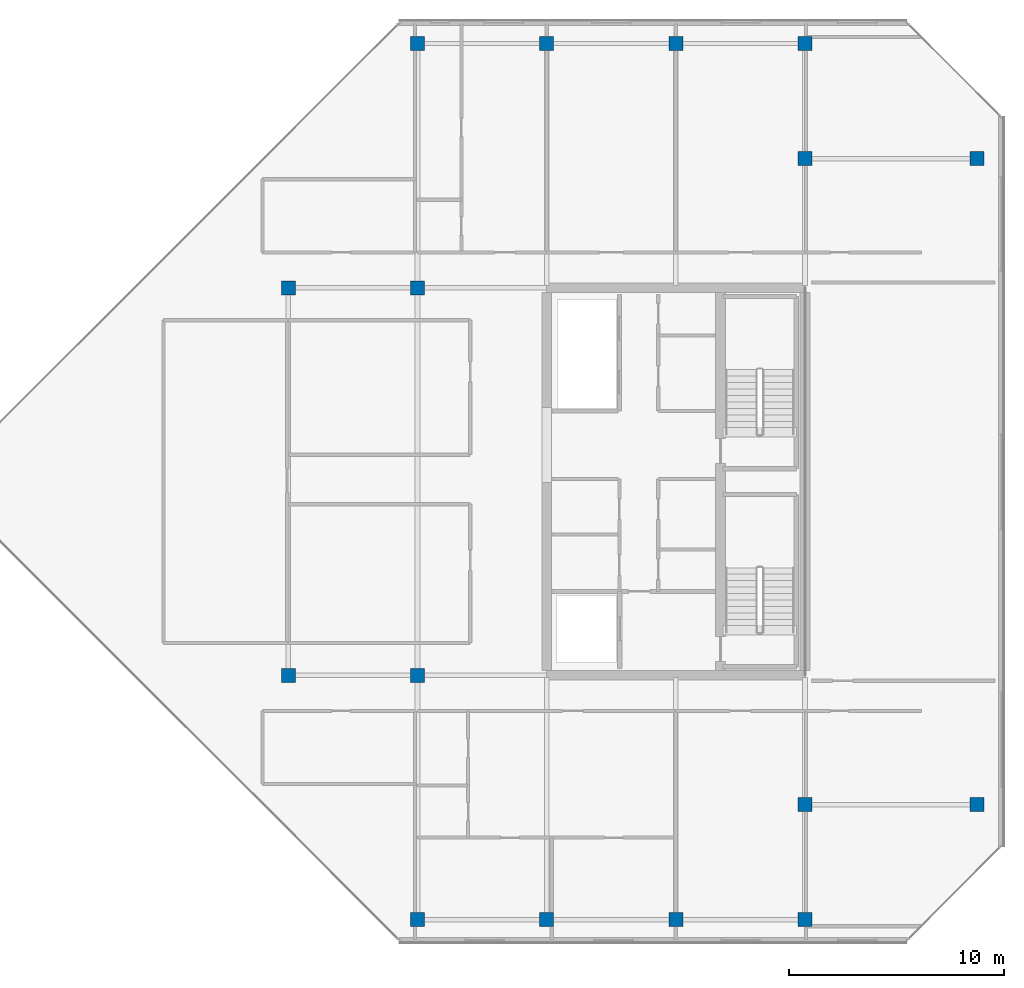
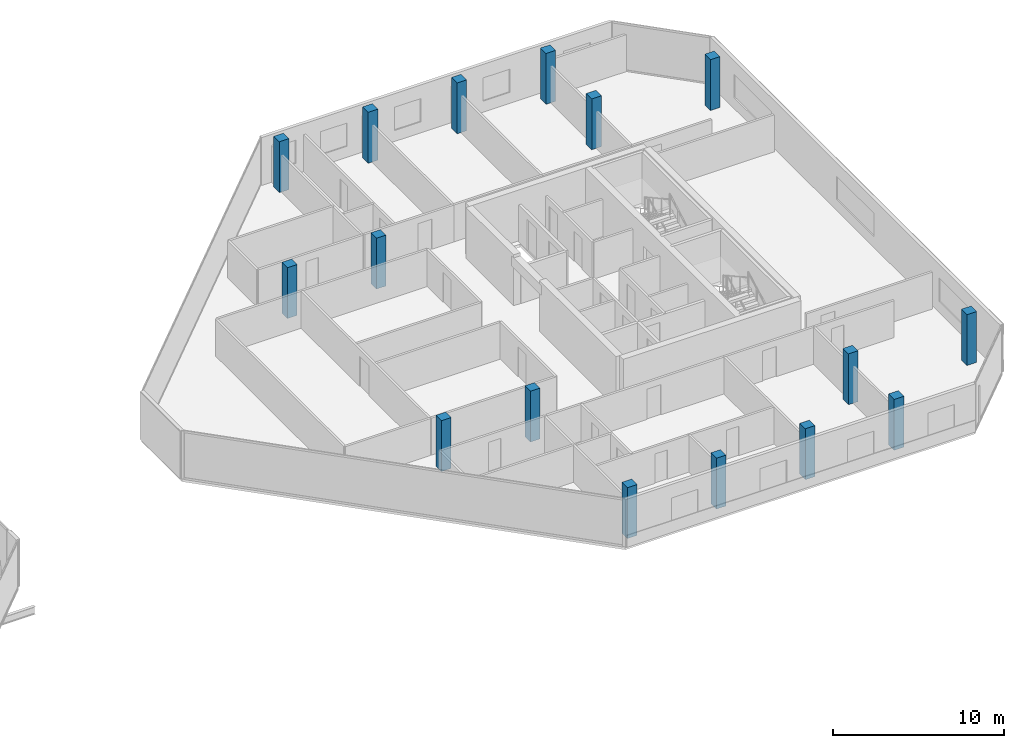
# One storey, part 1 of 28: 16 columns.
"""IFC4 building model written with IfcOpenShell, lengths in metres."""

from ifc_helpers import new_model, si_unit, direction, frame, origin, origin_2d, place, context, subcontext, project, spatial, rectangle, extrude, material, material_profile, profile_set, type_object, element, save


model = new_model("IFC4")

# Units and contexts
model_context = context("Model", 3, precision=1e-05, world=origin(), true_north=direction((0.0, 1.0)))
body_context = subcontext(model_context, "Body", "Model", "MODEL_VIEW")
ifc_project = project(units=[si_unit("LENGTHUNIT", "METRE"), si_unit("AREAUNIT", "SQUARE_METRE"), si_unit("VOLUMEUNIT", "CUBIC_METRE"), si_unit("PLANEANGLEUNIT", "RADIAN"), si_unit("MASSUNIT", "GRAM", prefix="KILO")], contexts=[model_context])

# Site, building, storey
site_placement = place(None, origin())
site = spatial("IfcSite", under=ifc_project, at=site_placement, CompositionType="ELEMENT")
building_placement = place(site_placement, origin())
building = spatial("IfcBuilding", under=site, at=building_placement, Name="Tanjung Sevakor Pilgrim Tower", CompositionType="ELEMENT")
storey_placement = place(building_placement, frame((0.0, 0.0, 249.81005859375)))
storey = spatial("IfcBuildingStorey", under=building, at=storey_placement, Name="L70", CompositionType="ELEMENT", Elevation=249.81005859375)

# Columns
ifc_material = material(Name="Concrete C60/75", Category="concrete")
ifc_material_profile = material_profile(ifc_material, rectangle(XDim=0.64990234375, YDim=0.64990234375, at=origin_2d()))
ifc_profile_set = profile_set([ifc_material_profile], Name="Concrete C60/75")
column_type = type_object("IfcColumnType", Name="COL-C-T650-RC_650x650", PredefinedType="COLUMN", material=ifc_profile_set)
for number, where, z_axis, x_axis, name in (
    (1, (66.0, 24.60009765625, 0.0), (0.0, 0.0, 1.0), (1.0, 0.0, 0.0), "L70 Column SPE-066-246"),
    (2, (66.0, 42.60009765625, 0.0), (0.0, 0.0, 1.0), (1.0, 0.0, 0.0), "L70 Column SPE-066-426"),
    (3, (72.0, 24.60009765625, 0.0), (0.0, 0.0, 1.0), (1.0, 0.0, 0.0), "L70 Column SPE-072-246"),
    (4, (72.0, 42.60009765625, 0.0), (0.0, 0.0, 1.0), (1.0, 0.0, 0.0), "L70 Column SPE-072-426"),
    (5, (90.0, 18.60009765625, 0.0), (0.0, 0.0, 1.0), (1.0, 0.0, 0.0), "L70 Column TCE-0900-186"),
    (6, (90.0, 48.60009765625, 0.0), (0.0, 0.0, 1.0), (1.0, 0.0, 0.0), "L70 Column TCE-0900-486"),
    (7, (98.0, 18.60009765625, 0.0), (0.0, 0.0, 1.0), (1.0, 0.0, 0.0), "L70 Column TCE-0980-186"),
    (8, (98.0, 48.60009765625, 0.0), (0.0, 0.0, 1.0), (1.0, 0.0, 0.0), "L70 Column TCE-0980-486"),
    (9, (72.0, 13.25, 0.0), (0.0, 0.0, 1.0), (1.0, 0.0, 0.0), "L70 Column TC4-072-132"),
    (10, (72.0, 53.949951171875, 0.0), (0.0, 0.0, 1.0), (1.0, 0.0, 0.0), "L70 Column TC4-072-540"),
    (11, (78.0, 13.25, 0.0), (0.0, 0.0, 1.0), (1.0, 0.0, 0.0), "L70 Column TC4-078-132"),
    (12, (78.0, 53.949951171875, 0.0), (0.0, 0.0, 1.0), (1.0, 0.0, 0.0), "L70 Column TC4-078-540"),
    (13, (84.0, 13.25, 0.0), (0.0, 0.0, 1.0), (1.0, 0.0, 0.0), "L70 Column TC4-084-132"),
    (14, (84.0, 53.949951171875, 0.0), (0.0, 0.0, 1.0), (1.0, 0.0, 0.0), "L70 Column TC4-084-540"),
    (15, (90.0, 13.25, 0.0), (0.0, 0.0, 1.0), (1.0, 0.0, 0.0), "L70 Column TC4-090-132"),
    (16, (90.0, 53.949951171875, 0.0), (0.0, 0.0, 1.0), (1.0, 0.0, 0.0), "L70 Column TC4-090-540"),
):
    element("IfcColumn", number, at=place(storey_placement, frame(where, z_axis=z_axis, x_axis=x_axis)), inside=storey, type_object=column_type, Name=name, PredefinedType="COLUMN", context=body_context, shape_type="SweptSolid", body=[
        extrude(rectangle(XDim=0.64990234375, YDim=0.64990234375, at=origin_2d()), origin(), (0.0, 0.0, 1.0), 3.6298828125),
    ])

save(model, "model.ifc")
